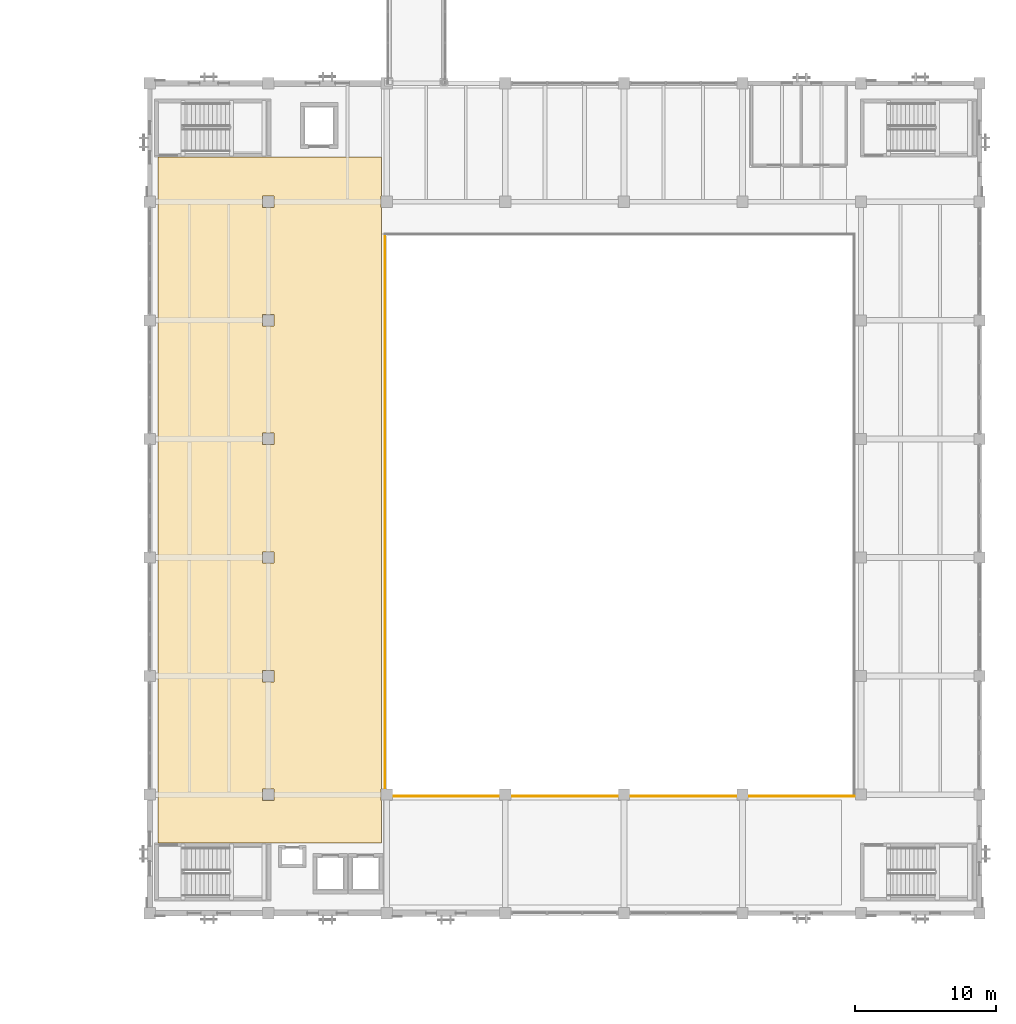
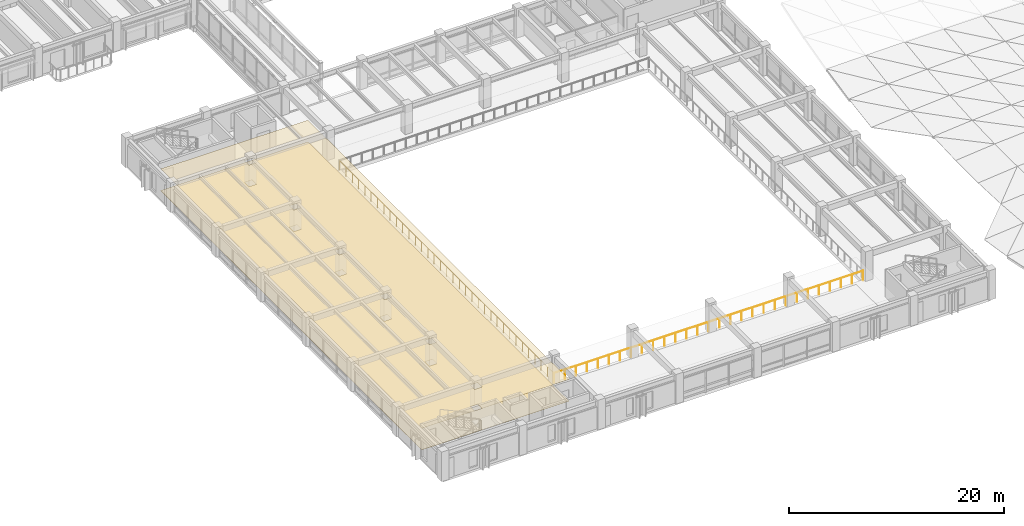
# One storey, part 105 of 123: 2 coverings, 2 railings.
"""IFC4 building model written with IfcOpenShell, lengths in metres."""

from ifc_helpers import new_model, si_unit, direction, frame, origin, origin_2d, place, context, subcontext, project, spatial, polyline, circle, outline, extrude, material, layer, layer_set, type_object, element, save


model = new_model("IFC4")

# Units and contexts
model_context = context("Model", 3, precision=1e-05, world=origin(), true_north=direction((0.0, 1.0)))
body_context = subcontext(model_context, "Body", "Model", "MODEL_VIEW")
ifc_project = project(units=[si_unit("LENGTHUNIT", "METRE"), si_unit("AREAUNIT", "SQUARE_METRE"), si_unit("VOLUMEUNIT", "CUBIC_METRE"), si_unit("PLANEANGLEUNIT", "RADIAN"), si_unit("MASSUNIT", "GRAM", prefix="KILO")], contexts=[model_context])

# Site, building, storey
site_placement = place(None, origin())
site = spatial("IfcSite", under=ifc_project, at=site_placement, CompositionType="ELEMENT")
building_placement = place(site_placement, origin())
building = spatial("IfcBuilding", under=site, at=building_placement, Name="Cumbredor Promenade Congress Hotel", CompositionType="ELEMENT")
storey_placement = place(building_placement, frame((0.0, 0.0, 11.760009765625)))
storey = spatial("IfcBuildingStorey", under=building, at=storey_placement, Name="L03", CompositionType="ELEMENT", Elevation=11.760009765625)

# Covering
ifc_material_1 = material(Name="Acoustic mineral-fiber and gypsum ceiling")
ifc_layer_1 = layer(ifc_material_1, 0.01806640625, Name="Acoustic mineral-fiber and gypsum ceiling")
ifc_layer_set_1 = layer_set([ifc_layer_1], Name="Acoustic mineral-fiber and gypsum ceiling")
covering_type_1 = type_object("IfcCoveringType", Name="Acoustic Perforated Gypsum Ceiling CLG-01 18mm", PredefinedType="CEILING", material=ifc_layer_set_1)
covering_1_placement = place(storey_placement, frame((0.0, 0.0, 2.452880859375)))
element("IfcCovering", 1, at=covering_1_placement, inside=storey, type_object=covering_type_1, Name="L03 Plenary West Pre-Function Gallery Acoustic Ceiling", PredefinedType="CEILING", context=body_context, shape_type="SweptSolid", body=[
    extrude(outline(polyline([(24.820068359375, 61.969970703125), (24.820068359375, 59.205078125), (24.794921875, 59.205078125), (24.794921875, 58.39501953125), (24.820068359375, 58.39501953125), (24.820068359375, 17.205078125), (24.794921875, 17.205078125), (24.794921875, 16.39501953125), (24.820068359375, 16.39501953125), (24.820068359375, 13.3798828125), (8.97998046875, 13.3798828125), (8.97998046875, 61.969970703125), (24.820068359375, 61.969970703125)]), holes=[polyline([(17.205078125, 16.39501953125), (17.205078125, 17.205078125), (16.39501953125, 17.205078125), (16.39501953125, 16.39501953125), (17.205078125, 16.39501953125)]), polyline([(16.39501953125, 24.794921875), (17.205078125, 24.794921875), (17.205078125, 25.60498046875), (16.39501953125, 25.60498046875), (16.39501953125, 24.794921875)]), polyline([(16.39501953125, 34.0048828125), (16.39501953125, 33.195068359375), (17.205078125, 33.195068359375), (17.205078125, 34.0048828125), (16.39501953125, 34.0048828125)]), polyline([(17.205078125, 42.405029296875), (16.39501953125, 42.405029296875), (16.39501953125, 41.594970703125), (17.205078125, 41.594970703125), (17.205078125, 42.405029296875)]), polyline([(17.205078125, 49.9951171875), (17.205078125, 50.804931640625), (16.39501953125, 50.804931640625), (16.39501953125, 49.9951171875), (17.205078125, 49.9951171875)]), polyline([(16.39501953125, 58.39501953125), (17.205078125, 58.39501953125), (17.205078125, 59.205078125), (16.39501953125, 59.205078125), (16.39501953125, 58.39501953125)])]), origin(), (0.0, 0.0, 1.0), 0.01806640625),
])

# Railings
ifc_material_2 = material(Name="Brushed stainless steel", Category="steel")
railing_type = type_object("IfcRailingType", Name="Interior Void & Stair Guardrail GR-1100", PredefinedType="GUARDRAIL", material=ifc_material_2)
railing_1_placement = place(storey_placement, frame((25.080078125, 16.679931640625, 0.0)))
element("IfcRailing", 2, at=railing_1_placement, inside=storey, type_object=railing_type, Name="L03 v1_plenary_bowl Void Perimeter Guardrail 1", PredefinedType="GUARDRAIL", context=body_context, shape_type="SweptSolid", body=[
    extrude(circle(Radius=0.02392578125, at=origin_2d()), frame((0.0, 0.0, 1.09619140625), z_axis=(1.0, 0.0, 0.0), x_axis=(0.0, 1.0, 0.0)), (0.0, 0.0, 1.0), 33.239990234375),
    extrude(circle(Radius=0.02099609375, at=origin_2d()), origin(), (0.0, 0.0, 1.0), 1.072021484375),
    extrude(circle(Radius=0.02099609375, at=origin_2d()), frame((1.187255859375, 0.0, 0.0)), (0.0, 0.0, 1.0), 1.072021484375),
    extrude(circle(Radius=0.02099609375, at=origin_2d()), frame((2.374267578125, 0.0, 0.0)), (0.0, 0.0, 1.0), 1.072021484375),
    extrude(circle(Radius=0.02099609375, at=origin_2d()), frame((3.5615234375, 0.0, 0.0)), (0.0, 0.0, 1.0), 1.072021484375),
    extrude(circle(Radius=0.02099609375, at=origin_2d()), frame((4.74853515625, 0.0, 0.0)), (0.0, 0.0, 1.0), 1.072021484375),
    extrude(circle(Radius=0.02099609375, at=origin_2d()), frame((5.935791015625, 0.0, 0.0)), (0.0, 0.0, 1.0), 1.072021484375),
    extrude(circle(Radius=0.02099609375, at=origin_2d()), frame((7.122802734375, 0.0, 0.0)), (0.0, 0.0, 1.0), 1.072021484375),
    extrude(circle(Radius=0.02099609375, at=origin_2d()), frame((8.31005859375, 0.0, 0.0)), (0.0, 0.0, 1.0), 1.072021484375),
    extrude(circle(Radius=0.02099609375, at=origin_2d()), frame((9.4970703125, 0.0, 0.0)), (0.0, 0.0, 1.0), 1.072021484375),
    extrude(circle(Radius=0.02099609375, at=origin_2d()), frame((10.684326171875, 0.0, 0.0)), (0.0, 0.0, 1.0), 1.072021484375),
    extrude(circle(Radius=0.02099609375, at=origin_2d()), frame((11.871337890625, 0.0, 0.0)), (0.0, 0.0, 1.0), 1.072021484375),
    extrude(circle(Radius=0.02099609375, at=origin_2d()), frame((13.05859375, 0.0, 0.0)), (0.0, 0.0, 1.0), 1.072021484375),
    extrude(circle(Radius=0.02099609375, at=origin_2d()), frame((14.24560546875, 0.0, 0.0)), (0.0, 0.0, 1.0), 1.072021484375),
    extrude(circle(Radius=0.02099609375, at=origin_2d()), frame((15.432861328125, 0.0, 0.0)), (0.0, 0.0, 1.0), 1.072021484375),
    extrude(circle(Radius=0.02099609375, at=origin_2d()), frame((16.6201171875, 0.0, 0.0)), (0.0, 0.0, 1.0), 1.072021484375),
    extrude(circle(Radius=0.02099609375, at=origin_2d()), frame((17.80712890625, 0.0, 0.0)), (0.0, 0.0, 1.0), 1.072021484375),
    extrude(circle(Radius=0.02099609375, at=origin_2d()), frame((18.994384765625, 0.0, 0.0)), (0.0, 0.0, 1.0), 1.072021484375),
    extrude(circle(Radius=0.02099609375, at=origin_2d()), frame((20.181396484375, 0.0, 0.0)), (0.0, 0.0, 1.0), 1.072021484375),
    extrude(circle(Radius=0.02099609375, at=origin_2d()), frame((21.36865234375, 0.0, 0.0)), (0.0, 0.0, 1.0), 1.072021484375),
    extrude(circle(Radius=0.02099609375, at=origin_2d()), frame((22.5556640625, 0.0, 0.0)), (0.0, 0.0, 1.0), 1.072021484375),
    extrude(circle(Radius=0.02099609375, at=origin_2d()), frame((23.742919921875, 0.0, 0.0)), (0.0, 0.0, 1.0), 1.072021484375),
    extrude(circle(Radius=0.02099609375, at=origin_2d()), frame((24.929931640625, 0.0, 0.0)), (0.0, 0.0, 1.0), 1.072021484375),
    extrude(circle(Radius=0.02099609375, at=origin_2d()), frame((26.1171875, 0.0, 0.0)), (0.0, 0.0, 1.0), 1.072021484375),
    extrude(circle(Radius=0.02099609375, at=origin_2d()), frame((27.30419921875, 0.0, 0.0)), (0.0, 0.0, 1.0), 1.072021484375),
    extrude(circle(Radius=0.02099609375, at=origin_2d()), frame((28.491455078125, 0.0, 0.0)), (0.0, 0.0, 1.0), 1.072021484375),
    extrude(circle(Radius=0.02099609375, at=origin_2d()), frame((29.678466796875, 0.0, 0.0)), (0.0, 0.0, 1.0), 1.072021484375),
    extrude(circle(Radius=0.02099609375, at=origin_2d()), frame((30.86572265625, 0.0, 0.0)), (0.0, 0.0, 1.0), 1.072021484375),
    extrude(circle(Radius=0.02099609375, at=origin_2d()), frame((32.052734375, 0.0, 0.0)), (0.0, 0.0, 1.0), 1.072021484375),
    extrude(circle(Radius=0.02099609375, at=origin_2d()), frame((33.239990234375, 0.0, 0.0)), (0.0, 0.0, 1.0), 1.072021484375),
])
railing_2_placement = place(storey_placement, frame((25.080078125, 56.52001953125, 0.0)))
element("IfcRailing", 3, at=railing_2_placement, inside=storey, type_object=railing_type, Name="L03 v1_plenary_bowl Void Perimeter Guardrail 4", PredefinedType="GUARDRAIL", context=body_context, shape_type="SweptSolid", body=[
    extrude(circle(Radius=0.02392578125, at=origin_2d()), frame((0.0, 0.0, 1.09619140625), z_axis=(0.0, -1.0, 0.0), x_axis=(1.0, 0.0, 0.0)), (0.0, 0.0, 1.0), 39.840087890625),
    extrude(circle(Radius=0.02099609375, at=origin_2d()), origin(), (0.0, 0.0, 1.0), 1.072021484375),
    extrude(circle(Radius=0.02099609375, at=origin_2d()), frame((0.0, -1.171875, 0.0)), (0.0, 0.0, 1.0), 1.072021484375),
    extrude(circle(Radius=0.02099609375, at=origin_2d()), frame((0.0, -2.343505859375, 0.0)), (0.0, 0.0, 1.0), 1.072021484375),
    extrude(circle(Radius=0.02099609375, at=origin_2d()), frame((0.0, -3.515380859375, 0.0)), (0.0, 0.0, 1.0), 1.072021484375),
    extrude(circle(Radius=0.02099609375, at=origin_2d()), frame((0.0, -4.68701171875, 0.0)), (0.0, 0.0, 1.0), 1.072021484375),
    extrude(circle(Radius=0.02099609375, at=origin_2d()), frame((0.0, -5.85888671875, 0.0)), (0.0, 0.0, 1.0), 1.072021484375),
    extrude(circle(Radius=0.02099609375, at=origin_2d()), frame((0.0, -7.030517578125, 0.0)), (0.0, 0.0, 1.0), 1.072021484375),
    extrude(circle(Radius=0.02099609375, at=origin_2d()), frame((0.0, -8.202392578125, 0.0)), (0.0, 0.0, 1.0), 1.072021484375),
    extrude(circle(Radius=0.02099609375, at=origin_2d()), frame((0.0, -9.3740234375, 0.0)), (0.0, 0.0, 1.0), 1.072021484375),
    extrude(circle(Radius=0.02099609375, at=origin_2d()), frame((0.0, -10.5458984375, 0.0)), (0.0, 0.0, 1.0), 1.072021484375),
    extrude(circle(Radius=0.02099609375, at=origin_2d()), frame((0.0, -11.7177734375, 0.0)), (0.0, 0.0, 1.0), 1.072021484375),
    extrude(circle(Radius=0.02099609375, at=origin_2d()), frame((0.0, -12.889404296875, 0.0)), (0.0, 0.0, 1.0), 1.072021484375),
    extrude(circle(Radius=0.02099609375, at=origin_2d()), frame((0.0, -14.061279296875, 0.0)), (0.0, 0.0, 1.0), 1.072021484375),
    extrude(circle(Radius=0.02099609375, at=origin_2d()), frame((0.0, -15.23291015625, 0.0)), (0.0, 0.0, 1.0), 1.072021484375),
    extrude(circle(Radius=0.02099609375, at=origin_2d()), frame((0.0, -16.40478515625, 0.0)), (0.0, 0.0, 1.0), 1.072021484375),
    extrude(circle(Radius=0.02099609375, at=origin_2d()), frame((0.0, -17.576416015625, 0.0)), (0.0, 0.0, 1.0), 1.072021484375),
    extrude(circle(Radius=0.02099609375, at=origin_2d()), frame((0.0, -18.748291015625, 0.0)), (0.0, 0.0, 1.0), 1.072021484375),
    extrude(circle(Radius=0.02099609375, at=origin_2d()), frame((0.0, -19.919921875, 0.0)), (0.0, 0.0, 1.0), 1.072021484375),
    extrude(circle(Radius=0.02099609375, at=origin_2d()), frame((0.0, -21.091796875, 0.0)), (0.0, 0.0, 1.0), 1.072021484375),
    extrude(circle(Radius=0.02099609375, at=origin_2d()), frame((0.0, -22.263671875, 0.0)), (0.0, 0.0, 1.0), 1.072021484375),
    extrude(circle(Radius=0.02099609375, at=origin_2d()), frame((0.0, -23.435302734375, 0.0)), (0.0, 0.0, 1.0), 1.072021484375),
    extrude(circle(Radius=0.02099609375, at=origin_2d()), frame((0.0, -24.607177734375, 0.0)), (0.0, 0.0, 1.0), 1.072021484375),
    extrude(circle(Radius=0.02099609375, at=origin_2d()), frame((0.0, -25.77880859375, 0.0)), (0.0, 0.0, 1.0), 1.072021484375),
    extrude(circle(Radius=0.02099609375, at=origin_2d()), frame((0.0, -26.95068359375, 0.0)), (0.0, 0.0, 1.0), 1.072021484375),
    extrude(circle(Radius=0.02099609375, at=origin_2d()), frame((0.0, -28.122314453125, 0.0)), (0.0, 0.0, 1.0), 1.072021484375),
    extrude(circle(Radius=0.02099609375, at=origin_2d()), frame((0.0, -29.294189453125, 0.0)), (0.0, 0.0, 1.0), 1.072021484375),
    extrude(circle(Radius=0.02099609375, at=origin_2d()), frame((0.0, -30.466064453125, 0.0)), (0.0, 0.0, 1.0), 1.072021484375),
    extrude(circle(Radius=0.02099609375, at=origin_2d()), frame((0.0, -31.6376953125, 0.0)), (0.0, 0.0, 1.0), 1.072021484375),
    extrude(circle(Radius=0.02099609375, at=origin_2d()), frame((0.0, -32.8095703125, 0.0)), (0.0, 0.0, 1.0), 1.072021484375),
    extrude(circle(Radius=0.02099609375, at=origin_2d()), frame((0.0, -33.981201171875, 0.0)), (0.0, 0.0, 1.0), 1.072021484375),
    extrude(circle(Radius=0.02099609375, at=origin_2d()), frame((0.0, -35.153076171875, 0.0)), (0.0, 0.0, 1.0), 1.072021484375),
    extrude(circle(Radius=0.02099609375, at=origin_2d()), frame((0.0, -36.32470703125, 0.0)), (0.0, 0.0, 1.0), 1.072021484375),
    extrude(circle(Radius=0.02099609375, at=origin_2d()), frame((0.0, -37.49658203125, 0.0)), (0.0, 0.0, 1.0), 1.072021484375),
    extrude(circle(Radius=0.02099609375, at=origin_2d()), frame((0.0, -38.668212890625, 0.0)), (0.0, 0.0, 1.0), 1.072021484375),
    extrude(circle(Radius=0.02099609375, at=origin_2d()), frame((0.0, -39.840087890625, 0.0)), (0.0, 0.0, 1.0), 1.072021484375),
])

# Covering
ifc_material_3 = material(Name="Porcelain stoneware tile", Category="masonry")
ifc_layer_2 = layer(ifc_material_3, 0.02001953125, Name="Porcelain stoneware tile", Category="masonry")
ifc_layer_set_2 = layer_set([ifc_layer_2], Name="Porcelain stoneware tile")
covering_type_2 = type_object("IfcCoveringType", Name="Porcelain Stoneware Flooring FLR-01 20mm", PredefinedType="FLOORING", material=ifc_layer_set_2)
covering_2_placement = place(storey_placement, origin())
element("IfcCovering", 4, at=covering_2_placement, inside=storey, type_object=covering_type_2, Name="L03 Plenary West Pre-Function Gallery Porcelain Flooring", PredefinedType="FLOORING", context=body_context, shape_type="SweptSolid", body=[
    extrude(outline(polyline([(24.820068359375, 61.969970703125), (24.820068359375, 59.205078125), (24.794921875, 59.205078125), (24.794921875, 58.39501953125), (24.820068359375, 58.39501953125), (24.820068359375, 17.205078125), (24.794921875, 17.205078125), (24.794921875, 16.39501953125), (24.820068359375, 16.39501953125), (24.820068359375, 13.3798828125), (8.97998046875, 13.3798828125), (8.97998046875, 61.969970703125), (24.820068359375, 61.969970703125)]), holes=[polyline([(17.205078125, 16.39501953125), (17.205078125, 17.205078125), (16.39501953125, 17.205078125), (16.39501953125, 16.39501953125), (17.205078125, 16.39501953125)]), polyline([(16.39501953125, 24.794921875), (17.205078125, 24.794921875), (17.205078125, 25.60498046875), (16.39501953125, 25.60498046875), (16.39501953125, 24.794921875)]), polyline([(16.39501953125, 34.0048828125), (16.39501953125, 33.195068359375), (17.205078125, 33.195068359375), (17.205078125, 34.0048828125), (16.39501953125, 34.0048828125)]), polyline([(17.205078125, 42.405029296875), (16.39501953125, 42.405029296875), (16.39501953125, 41.594970703125), (17.205078125, 41.594970703125), (17.205078125, 42.405029296875)]), polyline([(17.205078125, 49.9951171875), (17.205078125, 50.804931640625), (16.39501953125, 50.804931640625), (16.39501953125, 49.9951171875), (17.205078125, 49.9951171875)]), polyline([(16.39501953125, 58.39501953125), (17.205078125, 58.39501953125), (17.205078125, 59.205078125), (16.39501953125, 59.205078125), (16.39501953125, 58.39501953125)])]), origin(), (0.0, 0.0, 1.0), 0.02001953125),
])

save(model, "model.ifc")
